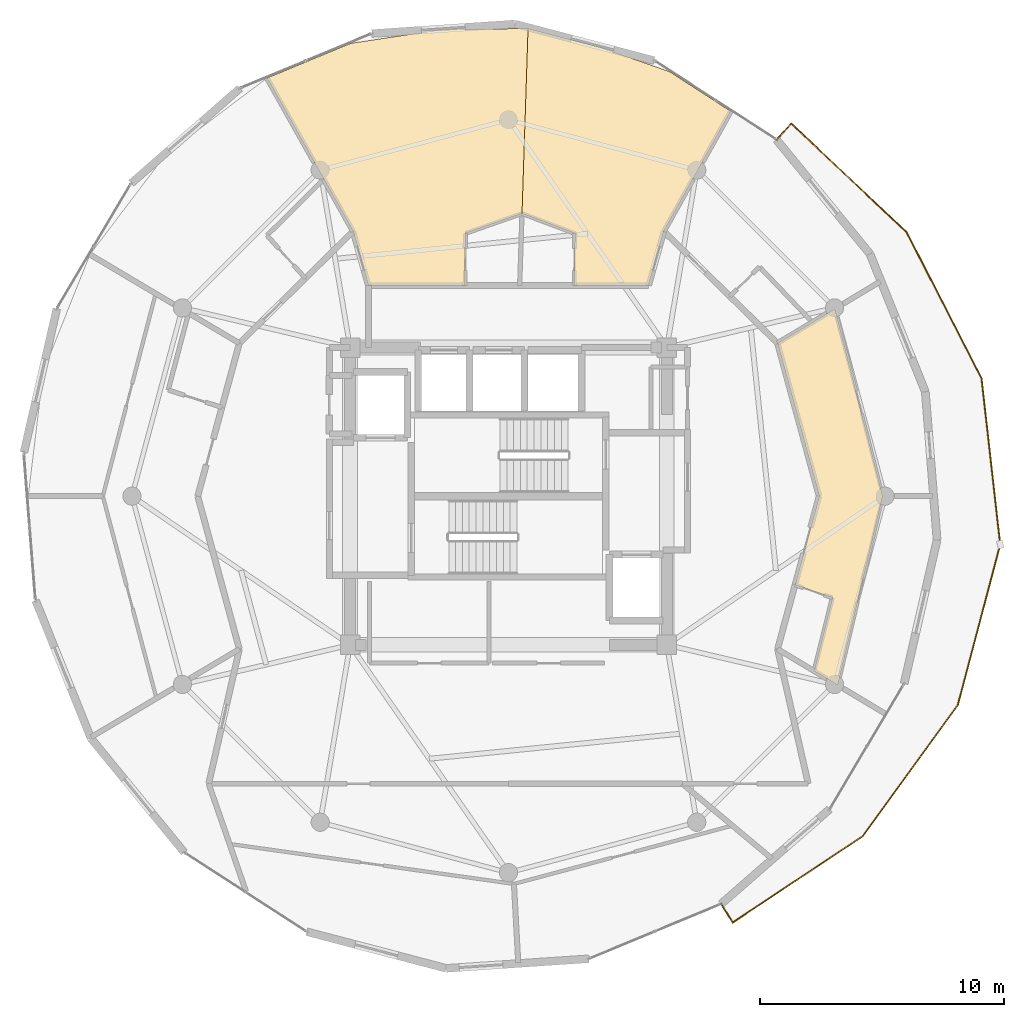
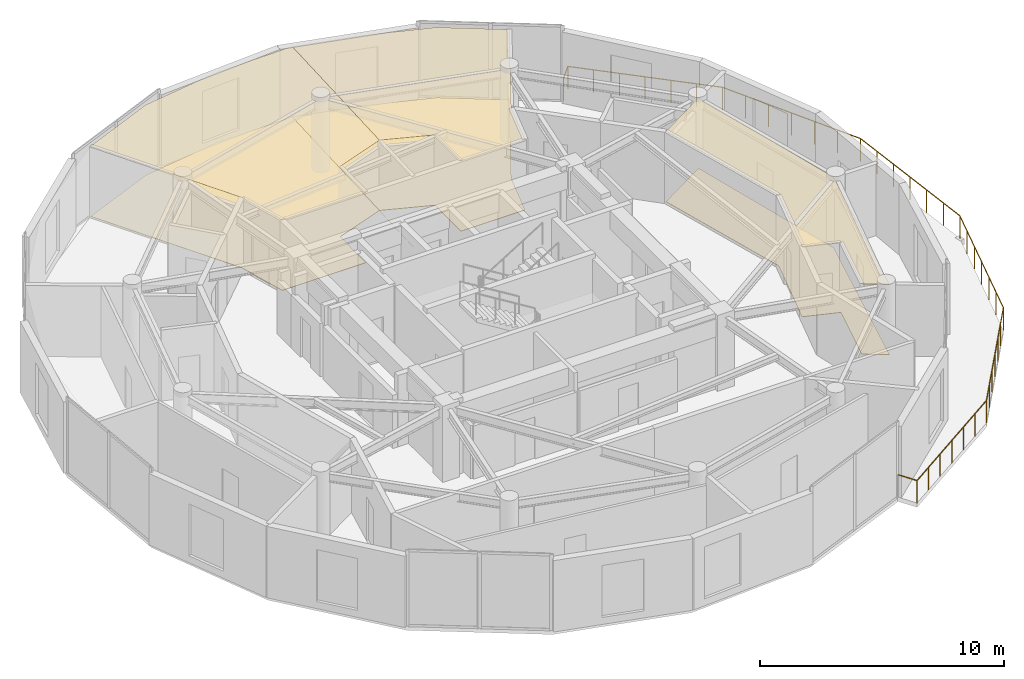
# One storey, part 22 of 22: 6 coverings, 1 railing.
"""IFC4 building model written with IfcOpenShell, lengths in metres."""

from ifc_helpers import new_model, si_unit, direction, frame, origin, origin_2d, place, context, subcontext, project, spatial, polyline, circle, outline, extrude, material, layer, layer_set, type_object, element, save


model = new_model("IFC4")

# Units and contexts
model_context = context("Model", 3, precision=1e-05, world=origin(), true_north=direction((0.0, 1.0)))
body_context = subcontext(model_context, "Body", "Model", "MODEL_VIEW")
ifc_project = project(units=[si_unit("LENGTHUNIT", "METRE"), si_unit("AREAUNIT", "SQUARE_METRE"), si_unit("VOLUMEUNIT", "CUBIC_METRE"), si_unit("PLANEANGLEUNIT", "RADIAN"), si_unit("MASSUNIT", "GRAM", prefix="KILO")], contexts=[model_context])

# Site, building, storey
site_placement = place(None, origin())
site = spatial("IfcSite", under=ifc_project, at=site_placement, CompositionType="ELEMENT")
building_placement = place(site_placement, origin())
building = spatial("IfcBuilding", under=site, at=building_placement, Name="Solvirekh Grand Hotel", CompositionType="ELEMENT")
storey_placement = place(building_placement, frame((0.0, 0.0, 243.0)))
storey = spatial("IfcBuildingStorey", under=building, at=storey_placement, Name="L63", CompositionType="ELEMENT", Elevation=243.0)

# Coverings
ifc_material_1 = material(Name="Acoustic Mineral Ceiling Tile")
ifc_layer_1 = layer(ifc_material_1, 0.02490234375)
ifc_layer_set_1 = layer_set([ifc_layer_1], Name="Acoustic Mineral Ceiling Tile")
covering_type_1 = type_object("IfcCoveringType", Name="Cov_Ceiling_Acoustic", PredefinedType="CEILING", material=ifc_layer_set_1)
covering_1_placement = place(storey_placement, frame((0.0, 0.0, 3.52001953125)))
element("IfcCovering", 1, at=covering_1_placement, inside=storey, type_object=covering_type_1, Name="L63 Deluxe Guestroom 6501 acoustic ceiling", PredefinedType="CEILING", context=body_context, shape_type="SweptSolid", body=[
    extrude(outline(polyline([(0.555908203125, 11.60205078125), (2.721923828125, 10.785888671875), (2.7099609375, 8.64990234375), (5.75, 8.64990234375), (6.375, 10.868896484375), (9.118896484375, 15.7939453125), (6.615966796875, 17.416015625), (3.779052734375, 18.412109375), (0.803955078125, 19.194091796875), (0.555908203125, 11.60205078125)])), origin(), (0.0, 0.0, 1.0), 0.01806640625),
])
covering_2_placement = place(storey_placement, frame((0.0, 0.0, 3.52001953125)))
element("IfcCovering", 2, at=covering_2_placement, inside=storey, type_object=covering_type_1, Name="L63 Panorama Suite 6502 acoustic ceiling", PredefinedType="CEILING", context=body_context, shape_type="SweptSolid", body=[
    extrude(outline(polyline([(-1.7900390625, 8.64990234375), (-1.76708984375, 10.785888671875), (0.555908203125, 11.60205078125), (0.4599609375, 8.64990234375), (0.803955078125, 19.194091796875), (-2.824951171875, 19.132080078125), (-6.470947265625, 18.5810546875), (-9.905029296875, 17.156005859375), (-6.375, 10.868896484375), (-5.75, 8.64990234375), (-1.7900390625, 8.64990234375)])), origin(), (0.0, 0.0, 1.0), 0.01806640625),
])
covering_3_placement = place(storey_placement, frame((0.0, 0.0, 3.52001953125)))
element("IfcCovering", 3, at=covering_3_placement, inside=storey, type_object=covering_type_1, Name="L63 Executive Suite 6505 Living Room acoustic ceiling", PredefinedType="CEILING", context=body_context, shape_type="SweptSolid", body=[
    extrude(outline(polyline([(13.294921875, -4.1630859375), (12.5439453125, -7.176025390625), (13.51611328125, -7.759033203125), (15.35693359375, 0.0), (13.39697265625, 7.69091796875), (11.0419921875, 6.27490234375), (12.75, 0.0), (11.759033203125, -3.639892578125), (13.294921875, -4.1630859375)])), origin(), (0.0, 0.0, 1.0), 0.01806640625),
])
ifc_material_2 = material(Name="Porcelain Stoneware Flooring", Category="masonry")
ifc_layer_2 = layer(ifc_material_2, 0.030029296875)
ifc_layer_set_2 = layer_set([ifc_layer_2], Name="Porcelain Stoneware Flooring")
covering_type_2 = type_object("IfcCoveringType", Name="Cov_Floor_Stone", PredefinedType="FLOORING", material=ifc_layer_set_2)
covering_4_placement = place(storey_placement, origin())
element("IfcCovering", 4, at=covering_4_placement, inside=storey, type_object=covering_type_2, Name="L63 Deluxe Guestroom 6501 polished granite flooring", PredefinedType="FLOORING", context=body_context, shape_type="SweptSolid", body=[
    extrude(outline(polyline([(0.555908203125, 11.60205078125), (2.721923828125, 10.785888671875), (2.7099609375, 8.64990234375), (5.75, 8.64990234375), (6.375, 10.868896484375), (9.118896484375, 15.7939453125), (6.615966796875, 17.416015625), (3.779052734375, 18.412109375), (0.803955078125, 19.194091796875), (0.555908203125, 11.60205078125)])), origin(), (0.0, 0.0, 1.0), 0.02001953125),
])
covering_5_placement = place(storey_placement, origin())
element("IfcCovering", 5, at=covering_5_placement, inside=storey, type_object=covering_type_2, Name="L63 Panorama Suite 6502 polished granite flooring", PredefinedType="FLOORING", context=body_context, shape_type="SweptSolid", body=[
    extrude(outline(polyline([(-1.7900390625, 8.64990234375), (-1.76708984375, 10.785888671875), (0.555908203125, 11.60205078125), (0.4599609375, 8.64990234375), (0.803955078125, 19.194091796875), (-2.824951171875, 19.132080078125), (-6.470947265625, 18.5810546875), (-9.905029296875, 17.156005859375), (-6.375, 10.868896484375), (-5.75, 8.64990234375), (-1.7900390625, 8.64990234375)])), origin(), (0.0, 0.0, 1.0), 0.02001953125),
])
covering_6_placement = place(storey_placement, origin())
element("IfcCovering", 6, at=covering_6_placement, inside=storey, type_object=covering_type_2, Name="L63 Executive Suite 6505 Living Room polished granite flooring", PredefinedType="FLOORING", context=body_context, shape_type="SweptSolid", body=[
    extrude(outline(polyline([(13.294921875, -4.1630859375), (12.5439453125, -7.176025390625), (13.51611328125, -7.759033203125), (15.35693359375, 0.0), (13.39697265625, 7.69091796875), (11.0419921875, 6.27490234375), (12.75, 0.0), (11.759033203125, -3.639892578125), (13.294921875, -4.1630859375)])), origin(), (0.0, 0.0, 1.0), 0.02001953125),
])

# Railing
ifc_material_3 = material(Name="Anodized Bronze Aluminium 6063-T6", Category="aluminium")
railing_type = type_object("IfcRailingType", Name="Guard_ExtGlass_1150", PredefinedType="BALUSTRADE", material=ifc_material_3)
railing_placement = place(storey_placement, frame((8.72607421875, -16.73291015625, 0.0)))
element("IfcRailing", 7, at=railing_placement, inside=storey, type_object=railing_type, Name="L63 balc perimeter glass balustrade", PredefinedType="BALUSTRADE", context=body_context, shape_type="SweptSolid", body=[
    extrude(circle(Radius=0.02392578125, at=origin_2d()), frame((0.0, 0.0, 1.1259765625), z_axis=(0.527801864372, -0.849367524671, 0.0), x_axis=(0.849367524671, 0.527801864372, 0.0)), (0.0, 0.0, 1.0), 0.899658203125),
    extrude(circle(Radius=0.02392578125, at=origin_2d()), frame((0.474853515625, -0.76416015625, 1.1259765625), z_axis=(0.83315301508, 0.553042542182, 0.0), x_axis=(-0.553042542182, 0.83315301508, 0.0)), (0.0, 0.0, 1.0), 6.39404296875),
    extrude(circle(Radius=0.02392578125, at=origin_2d()), frame((5.802001953125, 2.77197265625, 1.1259765625), z_axis=(0.5874933048, 0.809229026182, 0.0), x_axis=(-0.809229026182, 0.5874933048, 0.0)), (0.0, 0.0, 1.0), 6.656982421875),
    extrude(circle(Radius=0.02392578125, at=origin_2d()), frame((9.712890625, 8.158935546875, 1.1259765625), z_axis=(0.255381648203, 0.966840324853, 0.0), x_axis=(-0.966840324853, 0.255381648203, 0.0)), (0.0, 0.0, 1.0), 6.817138671875),
    extrude(circle(Radius=0.02392578125, at=origin_2d()), frame((11.453857421875, 14.75, 1.1259765625), z_axis=(-0.111824254158, 0.993727999093, 0.0), x_axis=(-0.993727999093, -0.111824254158, 0.0)), (0.0, 0.0, 1.0), 6.848876953125),
    extrude(circle(Radius=0.02392578125, at=origin_2d()), frame((10.68798828125, 21.555908203125, 1.1259765625), z_axis=(-0.455447117685, 0.890262839274, 0.0), x_axis=(-0.890262839274, -0.455447117685, 0.0)), (0.0, 0.0, 1.0), 6.7451171875),
    extrude(circle(Radius=0.02392578125, at=origin_2d()), frame((7.615966796875, 27.560791015625, 1.1259765625), z_axis=(-0.72789943956, 0.685683896477, 0.0), x_axis=(-0.685683896477, -0.72789943956, 0.0)), (0.0, 0.0, 1.0), 6.511962890625),
    extrude(circle(Radius=0.02392578125, at=origin_2d()), frame((2.8759765625, 32.02587890625, 1.1259765625), z_axis=(-0.667824983219, -0.744318340355, 0.0), x_axis=(0.744318340355, -0.667824983219, 0.0)), (0.0, 0.0, 1.0), 0.900146484375),
    extrude(circle(Radius=0.02099609375, at=origin_2d()), origin(), (0.0, 0.0, 1.0), 1.101806640625),
    extrude(circle(Radius=0.02099609375, at=origin_2d()), frame((0.474853515625, -0.76416015625, 0.0)), (0.0, 0.0, 1.0), 1.101806640625),
    extrude(circle(Radius=0.02099609375, at=origin_2d()), frame((1.36279296875, -0.1748046875, 0.0)), (0.0, 0.0, 1.0), 1.101806640625),
    extrude(circle(Radius=0.02099609375, at=origin_2d()), frame((2.25048828125, 0.41455078125, 0.0)), (0.0, 0.0, 1.0), 1.101806640625),
    extrude(circle(Radius=0.02099609375, at=origin_2d()), frame((3.138427734375, 1.00390625, 0.0)), (0.0, 0.0, 1.0), 1.101806640625),
    extrude(circle(Radius=0.02099609375, at=origin_2d()), frame((4.0263671875, 1.59326171875, 0.0)), (0.0, 0.0, 1.0), 1.101806640625),
    extrude(circle(Radius=0.02099609375, at=origin_2d()), frame((4.9140625, 2.1826171875, 0.0)), (0.0, 0.0, 1.0), 1.101806640625),
    extrude(circle(Radius=0.02099609375, at=origin_2d()), frame((5.802001953125, 2.77197265625, 0.0)), (0.0, 0.0, 1.0), 1.101806640625),
    extrude(circle(Radius=0.02099609375, at=origin_2d()), frame((6.453857421875, 3.669921875, 0.0)), (0.0, 0.0, 1.0), 1.101806640625),
    extrude(circle(Radius=0.02099609375, at=origin_2d()), frame((7.105712890625, 4.567626953125, 0.0)), (0.0, 0.0, 1.0), 1.101806640625),
    extrude(circle(Radius=0.02099609375, at=origin_2d()), frame((7.75732421875, 5.46533203125, 0.0)), (0.0, 0.0, 1.0), 1.101806640625),
    extrude(circle(Radius=0.02099609375, at=origin_2d()), frame((8.4091796875, 6.36328125, 0.0)), (0.0, 0.0, 1.0), 1.101806640625),
    extrude(circle(Radius=0.02099609375, at=origin_2d()), frame((9.06103515625, 7.26123046875, 0.0)), (0.0, 0.0, 1.0), 1.101806640625),
    extrude(circle(Radius=0.02099609375, at=origin_2d()), frame((9.712890625, 8.158935546875, 0.0)), (0.0, 0.0, 1.0), 1.101806640625),
    extrude(circle(Radius=0.02099609375, at=origin_2d()), frame((10.0029296875, 9.25732421875, 0.0)), (0.0, 0.0, 1.0), 1.101806640625),
    extrude(circle(Radius=0.02099609375, at=origin_2d()), frame((10.293212890625, 10.35595703125, 0.0)), (0.0, 0.0, 1.0), 1.101806640625),
    extrude(circle(Radius=0.02099609375, at=origin_2d()), frame((10.58349609375, 11.45458984375, 0.0)), (0.0, 0.0, 1.0), 1.101806640625),
    extrude(circle(Radius=0.02099609375, at=origin_2d()), frame((10.87353515625, 12.552978515625, 0.0)), (0.0, 0.0, 1.0), 1.101806640625),
    extrude(circle(Radius=0.02099609375, at=origin_2d()), frame((11.16357421875, 13.6513671875, 0.0)), (0.0, 0.0, 1.0), 1.101806640625),
    extrude(circle(Radius=0.02099609375, at=origin_2d()), frame((11.453857421875, 14.75, 0.0)), (0.0, 0.0, 1.0), 1.101806640625),
    extrude(circle(Radius=0.02099609375, at=origin_2d()), frame((11.326171875, 15.88427734375, 0.0)), (0.0, 0.0, 1.0), 1.101806640625),
    extrude(circle(Radius=0.02099609375, at=origin_2d()), frame((11.198486328125, 17.0185546875, 0.0)), (0.0, 0.0, 1.0), 1.101806640625),
    extrude(circle(Radius=0.02099609375, at=origin_2d()), frame((11.07080078125, 18.15283203125, 0.0)), (0.0, 0.0, 1.0), 1.101806640625),
    extrude(circle(Radius=0.02099609375, at=origin_2d()), frame((10.943359375, 19.287353515625, 0.0)), (0.0, 0.0, 1.0), 1.101806640625),
    extrude(circle(Radius=0.02099609375, at=origin_2d()), frame((10.815673828125, 20.421630859375, 0.0)), (0.0, 0.0, 1.0), 1.101806640625),
    extrude(circle(Radius=0.02099609375, at=origin_2d()), frame((10.68798828125, 21.555908203125, 0.0)), (0.0, 0.0, 1.0), 1.101806640625),
    extrude(circle(Radius=0.02099609375, at=origin_2d()), frame((10.176025390625, 22.556640625, 0.0)), (0.0, 0.0, 1.0), 1.101806640625),
    extrude(circle(Radius=0.02099609375, at=origin_2d()), frame((9.6640625, 23.5576171875, 0.0)), (0.0, 0.0, 1.0), 1.101806640625),
    extrude(circle(Radius=0.02099609375, at=origin_2d()), frame((9.15185546875, 24.558349609375, 0.0)), (0.0, 0.0, 1.0), 1.101806640625),
    extrude(circle(Radius=0.02099609375, at=origin_2d()), frame((8.639892578125, 25.55908203125, 0.0)), (0.0, 0.0, 1.0), 1.101806640625),
    extrude(circle(Radius=0.02099609375, at=origin_2d()), frame((8.1279296875, 26.56005859375, 0.0)), (0.0, 0.0, 1.0), 1.101806640625),
    extrude(circle(Radius=0.02099609375, at=origin_2d()), frame((7.615966796875, 27.560791015625, 0.0)), (0.0, 0.0, 1.0), 1.101806640625),
    extrude(circle(Radius=0.02099609375, at=origin_2d()), frame((6.825927734375, 28.304931640625, 0.0)), (0.0, 0.0, 1.0), 1.101806640625),
    extrude(circle(Radius=0.02099609375, at=origin_2d()), frame((6.035888671875, 29.049072265625, 0.0)), (0.0, 0.0, 1.0), 1.101806640625),
    extrude(circle(Radius=0.02099609375, at=origin_2d()), frame((5.24609375, 29.79345703125, 0.0)), (0.0, 0.0, 1.0), 1.101806640625),
    extrude(circle(Radius=0.02099609375, at=origin_2d()), frame((4.4560546875, 30.53759765625, 0.0)), (0.0, 0.0, 1.0), 1.101806640625),
    extrude(circle(Radius=0.02099609375, at=origin_2d()), frame((3.666015625, 31.28173828125, 0.0)), (0.0, 0.0, 1.0), 1.101806640625),
    extrude(circle(Radius=0.02099609375, at=origin_2d()), frame((2.8759765625, 32.02587890625, 0.0)), (0.0, 0.0, 1.0), 1.101806640625),
    extrude(circle(Radius=0.02099609375, at=origin_2d()), frame((2.27490234375, 31.35595703125, 0.0)), (0.0, 0.0, 1.0), 1.101806640625),
])

save(model, "model.ifc")
